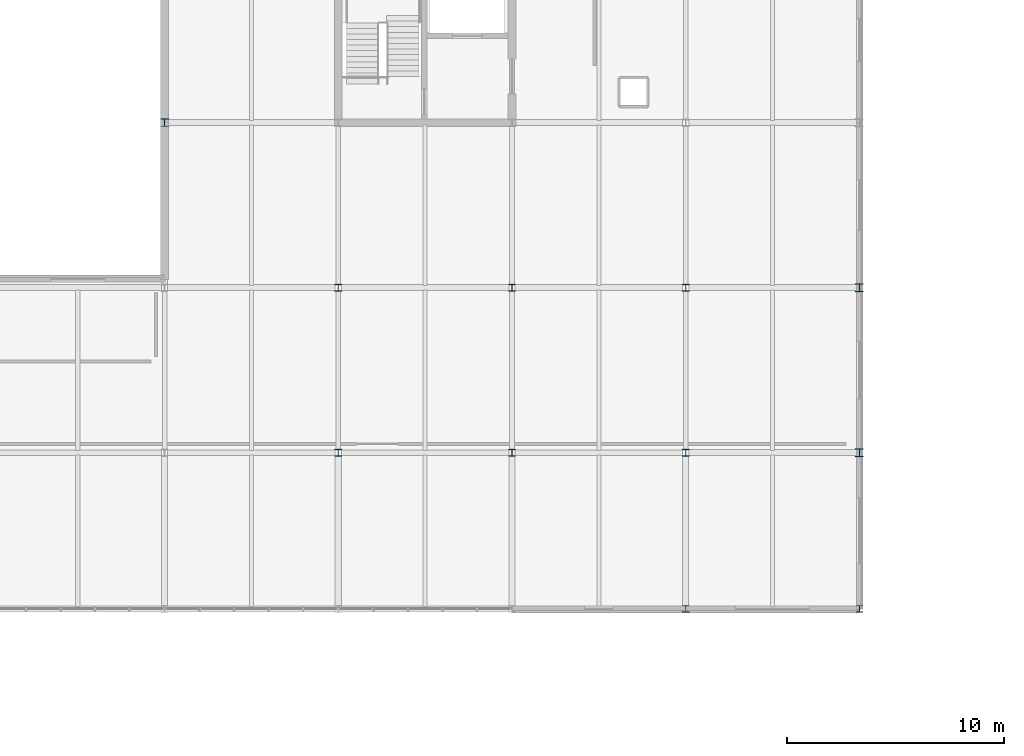
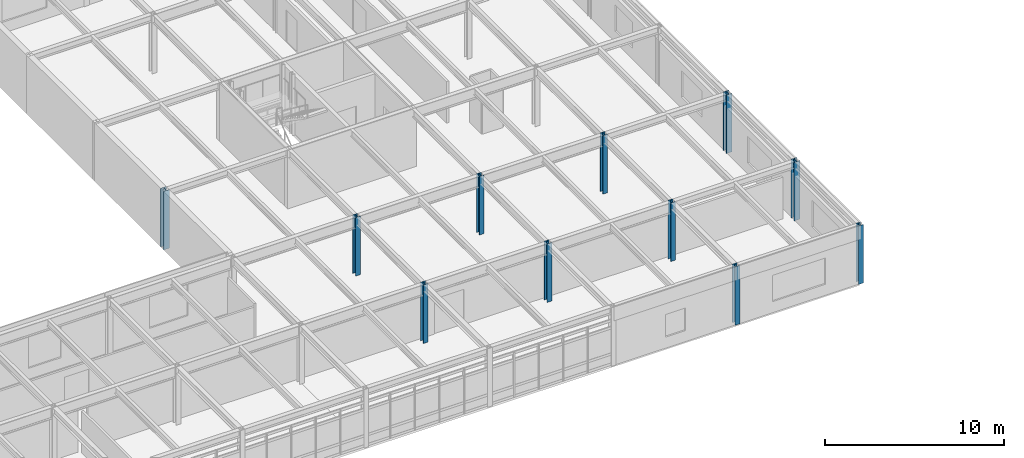
# One storey, part 6 of 45: 11 columns.
"""IFC4 building model written with IfcOpenShell, lengths in metres."""

from ifc_helpers import new_model, si_unit, direction, frame, origin, origin_2d, place, context, subcontext, project, spatial, i_section, extrude, material, material_profile, profile_set, type_object, element, save


model = new_model("IFC4")

# Units and contexts
model_context = context("Model", 3, precision=1e-05, world=origin(), true_north=direction((0.0, 1.0)))
body_context = subcontext(model_context, "Body", "Model", "MODEL_VIEW")
ifc_project = project(units=[si_unit("LENGTHUNIT", "METRE"), si_unit("AREAUNIT", "SQUARE_METRE"), si_unit("VOLUMEUNIT", "CUBIC_METRE"), si_unit("PLANEANGLEUNIT", "RADIAN"), si_unit("MASSUNIT", "GRAM", prefix="KILO")], contexts=[model_context])

# Site, building, storey
site_placement = place(None, origin())
site = spatial("IfcSite", under=ifc_project, at=site_placement, CompositionType="ELEMENT")
building_placement = place(site_placement, origin())
building = spatial("IfcBuilding", under=site, at=building_placement, Name="Zulena Civic Courthouse", CompositionType="ELEMENT")
storey_placement = place(building_placement, frame((0.0, 0.0, 29.39990234375)))
storey = spatial("IfcBuildingStorey", under=building, at=storey_placement, Name="L06", CompositionType="ELEMENT", Elevation=29.39990234375)

# Columns
ifc_material = material(Name="Steel ASTM A992 Grade 50", Category="steel")
ifc_material_profile_1 = material_profile(ifc_material, i_section(OverallWidth=0.306884765625, OverallDepth=0.31396484375, WebThickness=0.011962890625, FlangeThickness=0.018798828125, FilletRadius=0.01513671875, at=origin_2d()), Name="W12X79")
ifc_profile_set_1 = profile_set([ifc_material_profile_1], Name="Steel ASTM A992 Grade 50")
column_type_1 = type_object("IfcColumnType", Name="Col_W12X79", PredefinedType="COLUMN", material=ifc_profile_set_1)
for number, where, z_axis, x_axis, name in (
    (1, (92.0, 46.0, 0.0), (0.0, 0.0, 1.0), (1.0, 0.0, 0.0), "col:V5:L06:92.0:46.0"),
    (2, (100.0, 46.0, 0.0), (0.0, 0.0, 1.0), (1.0, 0.0, 0.0), "col:V5:L06:100.0:46.0"),
):
    element("IfcColumn", number, at=place(storey_placement, frame(where, z_axis=z_axis, x_axis=x_axis)), inside=storey, type_object=column_type_1, Name=name, PredefinedType="COLUMN", context=body_context, shape_type="SweptSolid", body=[
        extrude(i_section(OverallWidth=0.306884765625, OverallDepth=0.31396484375, WebThickness=0.011962890625, FlangeThickness=0.018798828125, FilletRadius=0.01513671875, at=origin_2d()), origin(), (0.0, 0.0, 1.0), 4.0),
    ])
ifc_material_profile_2 = material_profile(ifc_material, i_section(OverallWidth=0.30908203125, OverallDepth=0.322998046875, WebThickness=0.013916015625, FlangeThickness=0.02294921875, FilletRadius=0.01513671875, at=origin_2d()), Name="W12X96")
ifc_profile_set_2 = profile_set([ifc_material_profile_2], Name="Steel ASTM A992 Grade 50")
column_type_2 = type_object("IfcColumnType", Name="Col_W12X96", PredefinedType="COLUMN", material=ifc_profile_set_2)
for number, where, z_axis, x_axis, name in (
    (3, (76.0, 53.199951171875, 0.0), (0.0, 0.0, 1.0), (1.0, 0.0, 0.0), "col:V5:L06:76.0:53.2"),
    (4, (76.0, 60.800048828125, 0.0), (0.0, 0.0, 1.0), (1.0, 0.0, 0.0), "col:V5:L06:76.0:60.8"),
    (5, (84.0, 53.199951171875, 0.0), (0.0, 0.0, 1.0), (1.0, 0.0, 0.0), "col:V5:L06:84.0:53.2"),
    (6, (84.0, 60.800048828125, 0.0), (0.0, 0.0, 1.0), (1.0, 0.0, 0.0), "col:V5:L06:84.0:60.8"),
    (7, (92.0, 53.199951171875, 0.0), (0.0, 0.0, 1.0), (1.0, 0.0, 0.0), "col:V5:L06:92.0:53.2"),
    (8, (92.0, 60.800048828125, 0.0), (0.0, 0.0, 1.0), (1.0, 0.0, 0.0), "col:V5:L06:92.0:60.8"),
):
    element("IfcColumn", number, at=place(storey_placement, frame(where, z_axis=z_axis, x_axis=x_axis)), inside=storey, type_object=column_type_2, Name=name, PredefinedType="COLUMN", context=body_context, shape_type="SweptSolid", body=[
        extrude(i_section(OverallWidth=0.30908203125, OverallDepth=0.322998046875, WebThickness=0.013916015625, FlangeThickness=0.02294921875, FilletRadius=0.01513671875, at=origin_2d()), origin(), (0.0, 0.0, 1.0), 4.0),
    ])
ifc_material_profile_3 = material_profile(ifc_material, i_section(OverallWidth=0.368896484375, OverallDepth=0.35595703125, WebThickness=0.01123046875, FlangeThickness=0.01806640625, FilletRadius=0.01513671875, at=origin_2d()), Name="W14X90")
ifc_profile_set_3 = profile_set([ifc_material_profile_3], Name="Steel ASTM A992 Grade 50")
column_type_3 = type_object("IfcColumnType", Name="Col_W14X90", PredefinedType="COLUMN", material=ifc_profile_set_3)
column_placement = place(storey_placement, frame((68.0, 68.39990234375, 0.0), z_axis=(0.0, 0.0, 1.0), x_axis=(1.0, 0.0, 0.0)))
element("IfcColumn", 9, at=column_placement, inside=storey, type_object=column_type_3, Name="col:V5:L06:68.0:68.4", PredefinedType="COLUMN", context=body_context, shape_type="SweptSolid", body=[
    extrude(i_section(OverallWidth=0.368896484375, OverallDepth=0.35595703125, WebThickness=0.01123046875, FlangeThickness=0.01806640625, FilletRadius=0.01513671875, at=origin_2d()), origin(), (0.0, 0.0, 1.0), 4.0),
])
ifc_material_profile_4 = material_profile(ifc_material, i_section(OverallWidth=0.3701171875, OverallDepth=0.360107421875, WebThickness=0.01220703125, FlangeThickness=0.019775390625, FilletRadius=0.01513671875, at=origin_2d()), Name="W14X99")
ifc_profile_set_4 = profile_set([ifc_material_profile_4], Name="Steel ASTM A992 Grade 50")
column_type_4 = type_object("IfcColumnType", Name="Col_W14X99", PredefinedType="COLUMN", material=ifc_profile_set_4)
for number, where, z_axis, x_axis, name in (
    (10, (100.0, 53.199951171875, 0.0), (0.0, 0.0, 1.0), (1.0, 0.0, 0.0), "col:V5:L06:100.0:53.2"),
    (11, (100.0, 60.800048828125, 0.0), (0.0, 0.0, 1.0), (1.0, 0.0, 0.0), "col:V5:L06:100.0:60.8"),
):
    element("IfcColumn", number, at=place(storey_placement, frame(where, z_axis=z_axis, x_axis=x_axis)), inside=storey, type_object=column_type_4, Name=name, PredefinedType="COLUMN", context=body_context, shape_type="SweptSolid", body=[
        extrude(i_section(OverallWidth=0.3701171875, OverallDepth=0.360107421875, WebThickness=0.01220703125, FlangeThickness=0.019775390625, FilletRadius=0.01513671875, at=origin_2d()), origin(), (0.0, 0.0, 1.0), 4.0),
    ])

save(model, "model.ifc")
